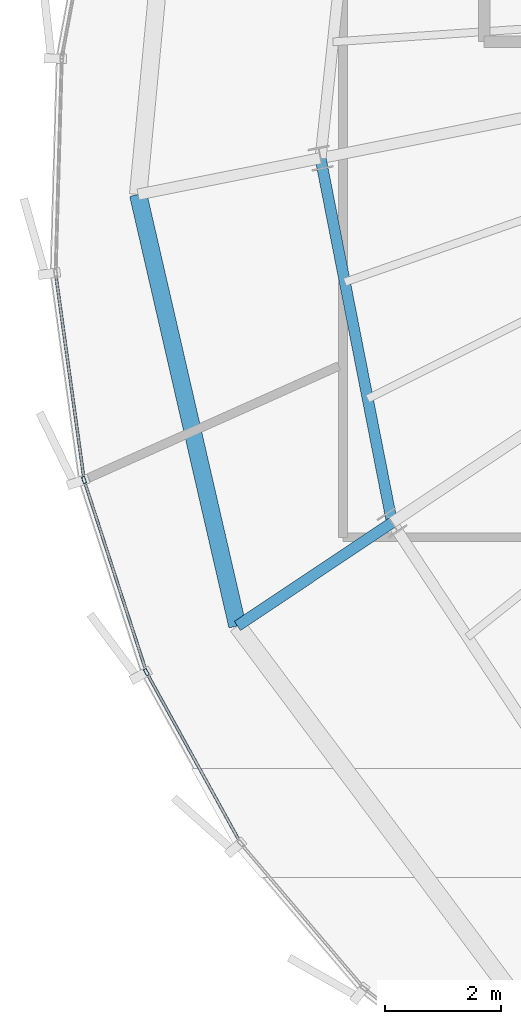
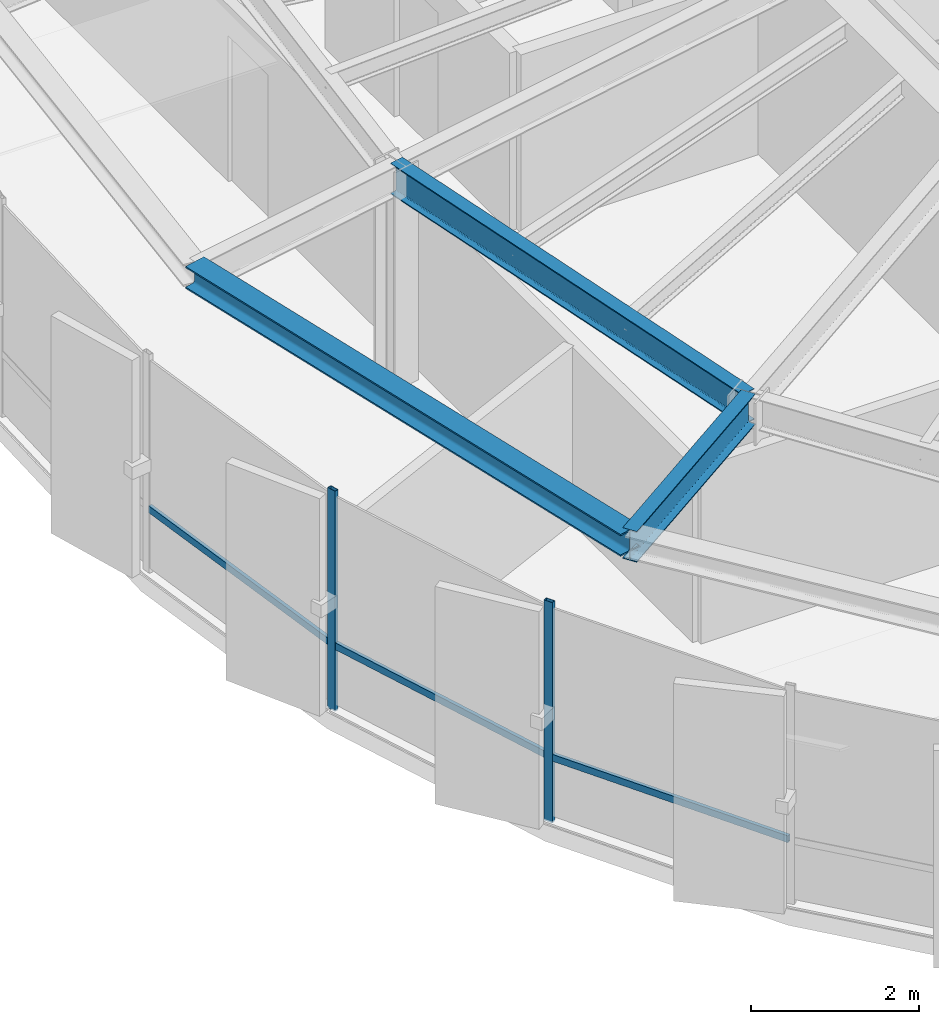
# One storey, part 4 of 31: 5 members, 3 beams, 1 element without a shape of its own.
"""IFC4 building model written with IfcOpenShell, lengths in metres."""

from ifc_helpers import new_model, si_unit, direction, frame, origin, origin_2d, place, context, subcontext, project, spatial, hollow_rectangle, i_section, extrude, source, transform, mapped, material, layer, layer_set, material_profile, profile_set, type_object, element, aggregate, save


model = new_model("IFC4")

# Units and contexts
model_context = context("Model", 3, precision=1e-05, world=origin(), true_north=direction((0.0, 1.0)))
body_context = subcontext(model_context, "Body", "Model", "MODEL_VIEW")
ifc_project = project(units=[si_unit("LENGTHUNIT", "METRE"), si_unit("AREAUNIT", "SQUARE_METRE"), si_unit("VOLUMEUNIT", "CUBIC_METRE"), si_unit("PLANEANGLEUNIT", "RADIAN"), si_unit("MASSUNIT", "GRAM", prefix="KILO"), si_unit("THERMODYNAMICTEMPERATUREUNIT", "KELVIN")], contexts=[model_context])

# Site, building, storey
site_placement = place(None, origin())
site = spatial("IfcSite", under=ifc_project, at=site_placement, CompositionType="ELEMENT")
building_placement = place(site_placement, origin())
building = spatial("IfcBuilding", under=site, at=building_placement, Name="Kethvar Cultural Tower", CompositionType="ELEMENT")
storey_placement = place(building_placement, frame((0.0, 0.0, 269.800048828125)))
storey = spatial("IfcBuildingStorey", under=building, at=storey_placement, Name="L71", CompositionType="ELEMENT", Elevation=269.800048828125)

# Beams
ifc_material_1 = material(Name="Steel S355J2", Category="steel")
ifc_material_profile_1 = material_profile(ifc_material_1, i_section(OverallWidth=0.18994140625, OverallDepth=0.449951171875, WebThickness=0.009521484375, FlangeThickness=0.0146484375, FilletRadius=0.02099609375, at=origin_2d()), Name="Steel S355J2 — IPE450")
ifc_profile_set_1 = profile_set([ifc_material_profile_1], Name="Steel S355J2 — IPE450")
beam_type_1 = type_object("IfcBeamType", Name="BM-IPE450", PredefinedType="BEAM", material=ifc_profile_set_1)
shared_shape_1 = source(origin(), body_context, "Body", "SweptSolid", [
    extrude(i_section(OverallWidth=0.18994140625, OverallDepth=0.449951171875, WebThickness=0.009521484375, FlangeThickness=0.0146484375, FilletRadius=0.02099609375, at=origin_2d()), origin(), (0.0, 0.0, 1.0), 3.199951171875),
])
beam_1_placement = place(storey_placement, frame((32.912841796875, 18.52099609375, 2.98291015625), z_axis=(-0.831462943996, -0.555580212716, 0.0), x_axis=(0.555580212716, -0.831462943996, 0.0)))
element("IfcBeam", 1, at=beam_1_placement, inside=storey, type_object=beam_type_1, Name="L71 Perimeter Cantilever Beam RC-10", PredefinedType="BEAM", context=body_context, shape_type="MappedRepresentation", body=[
    mapped(shared_shape_1, transform((0.0, 0.0, 0.0), scale=1.0)),
])
shared_shape_2 = source(origin(), body_context, "Body", "SweptSolid", [
    extrude(i_section(OverallWidth=0.18994140625, OverallDepth=0.449951171875, WebThickness=0.009521484375, FlangeThickness=0.0146484375, FilletRadius=0.02099609375, at=origin_2d()), origin(), (0.0, 0.0, 1.0), 6.391357421875),
])
beam_2_placement = place(storey_placement, frame((31.68310546875, 24.79296875, 2.98291015625), z_axis=(0.192405084368, -0.981315588131, 0.0), x_axis=(0.981315588131, 0.192405084368, 0.0)))
element("IfcBeam", 2, at=beam_2_placement, inside=storey, type_object=beam_type_1, Name="L71 Column Ring Tie Beam CR-09", PredefinedType="BEAM", context=body_context, shape_type="MappedRepresentation", body=[
    mapped(shared_shape_2, transform((0.0, 0.0, 0.0), scale=1.0)),
])
ifc_material_profile_2 = material_profile(ifc_material_1, i_section(OverallWidth=0.300048828125, OverallDepth=0.320068359375, WebThickness=0.011474609375, FlangeThickness=0.0205078125, FilletRadius=0.027099609375, at=origin_2d()), Name="Steel S355J2 — HEB320")
ifc_profile_set_2 = profile_set([ifc_material_profile_2], Name="Steel S355J2 — HEB320")
beam_type_2 = type_object("IfcBeamType", Name="BM-SP320", PredefinedType="SPANDREL", material=ifc_profile_set_2)
shared_shape_3 = source(origin(), body_context, "Body", "SweptSolid", [
    extrude(i_section(OverallWidth=0.300048828125, OverallDepth=0.320068359375, WebThickness=0.011474609375, FlangeThickness=0.0205078125, FilletRadius=0.027099609375, at=origin_2d()), origin(), (0.0, 0.0, 1.0), 7.619384765625),
])
beam_3_placement = place(storey_placement, frame((28.54443359375, 24.168701171875, 3.0478515625), z_axis=(0.224133998424, -0.974558336248, 0.0), x_axis=(0.974558336248, 0.224133998424, 0.0)))
element("IfcBeam", 3, at=beam_3_placement, inside=storey, type_object=beam_type_2, Name="L71 Perimeter Spandrel Beam SP-09", PredefinedType="SPANDREL", context=body_context, shape_type="MappedRepresentation", body=[
    mapped(shared_shape_3, transform((0.0, 0.0, 0.0), scale=1.0)),
])

# Curtain wall, members
ifc_material_2 = material(Name="Aluminium 6063-T6", Category="aluminium")
ifc_layer = layer(ifc_material_2, 0.179931640625, Name="Aluminium 6063-T6", Category="aluminium")
ifc_layer_set = layer_set([ifc_layer], Name="Aluminium 6063-T6 (180 mm)")
curtain_wall_type = type_object("IfcCurtainWallType", Name="CW-SYS-05-Z56", PredefinedType="NOTDEFINED", material=ifc_layer_set)
curtain_wall_placement = place(storey_placement, origin())
curtain_wall = element("IfcCurtainWall", 4, at=curtain_wall_placement, inside=storey, type_object=curtain_wall_type, Name="L71 Curtain Wall Run 03", PredefinedType="NOTDEFINED")
ifc_material_profile_3 = material_profile(ifc_material_2, hollow_rectangle(XDim=0.054931640625, YDim=0.1201171875, WallThickness=0.00390625, at=origin_2d()), Name="Aluminium 6063-T6 — RHS120x55x4")
ifc_profile_set_3 = profile_set([ifc_material_profile_3], Name="Aluminium 6063-T6 — RHS120x55x4")
member_type_1 = type_object("IfcMemberType", Name="CW-SYS-05-Z56-MUL", PredefinedType="MULLION", material=ifc_profile_set_3)
shared_shape_4 = source(origin(), body_context, "Body", "SweptSolid", [
    extrude(hollow_rectangle(XDim=0.054931640625, YDim=0.1201171875, WallThickness=0.00390625, at=origin_2d()), origin(), (0.0, 0.0, 1.0), 3.2099609375),
])
member_1_placement = place(storey_placement, frame((27.6123046875, 19.2548828125, 0.0), z_axis=(0.0, 0.0, 1.0), x_axis=(0.951072695083, 0.308967196749, 0.0)))
member_1 = element("IfcMember", 5, at=member_1_placement, type_object=member_type_1, Name="CW-L71-R03 Mullion 3", PredefinedType="MULLION", context=body_context, shape_type="MappedRepresentation", body=[
    mapped(shared_shape_4, transform((0.0, 0.0, 0.0), scale=1.0)),
])
member_2_placement = place(storey_placement, frame((28.6845703125, 15.94921875, 0.0), z_axis=(0.0, 0.0, 1.0), x_axis=(0.875734306247, 0.482793356274, 0.0)))
member_2 = element("IfcMember", 6, at=member_2_placement, type_object=member_type_1, Name="CW-L71-R03 Mullion 4", PredefinedType="MULLION", context=body_context, shape_type="MappedRepresentation", body=[
    mapped(shared_shape_4, transform((0.0, 0.0, 0.0), scale=1.0)),
])
ifc_material_profile_4 = material_profile(ifc_material_2, hollow_rectangle(XDim=0.050048828125, YDim=0.10009765625, WallThickness=0.00390625, at=origin_2d()), Name="Aluminium 6063-T6 — RHS100x50x4")
ifc_profile_set_4 = profile_set([ifc_material_profile_4], Name="Aluminium 6063-T6 — RHS100x50x4")
member_type_2 = type_object("IfcMemberType", Name="CW-SYS-05-Z56-TRN", PredefinedType="USERDEFINED", material=ifc_profile_set_4)
shared_shape_5 = source(origin(), body_context, "Body", "SweptSolid", [
    extrude(hollow_rectangle(XDim=0.050048828125, YDim=0.10009765625, WallThickness=0.00390625, at=origin_2d()), origin(), (0.0, 0.0, 1.0), 3.5380859375),
])
member_3_placement = place(storey_placement, frame((27.1279296875, 22.781982421875, 0.949951171875), z_axis=(0.136560340111, -0.990631754745, 0.0), x_axis=(0.990631754745, 0.136560340111, 0.0)))
member_3 = element("IfcMember", 7, at=member_3_placement, type_object=member_type_2, Name="CW-L71-R03 Transom 2", ObjectType="TRANSOM", PredefinedType="USERDEFINED", context=body_context, shape_type="MappedRepresentation", body=[
    mapped(shared_shape_5, transform((0.0, 0.0, 0.0), scale=1.0)),
])
shared_shape_6 = source(origin(), body_context, "Body", "SweptSolid", [
    extrude(hollow_rectangle(XDim=0.050048828125, YDim=0.10009765625, WallThickness=0.00390625, at=origin_2d()), origin(), (0.0, 0.0, 1.0), 3.414794921875),
])
member_4_placement = place(storey_placement, frame((27.62451171875, 19.21728515625, 0.949951171875), z_axis=(0.308990693531, -0.951065061555, 0.0), x_axis=(0.951065061555, 0.308990693531, 0.0)))
member_4 = element("IfcMember", 8, at=member_4_placement, type_object=member_type_2, Name="CW-L71-R03 Transom 3", ObjectType="TRANSOM", PredefinedType="USERDEFINED", context=body_context, shape_type="MappedRepresentation", body=[
    mapped(shared_shape_6, transform((0.0, 0.0, 0.0), scale=1.0)),
])
shared_shape_7 = source(origin(), body_context, "Body", "SweptSolid", [
    extrude(hollow_rectangle(XDim=0.050048828125, YDim=0.10009765625, WallThickness=0.00390625, at=origin_2d()), origin(), (0.0, 0.0, 1.0), 3.302490234375),
])
member_5_placement = place(storey_placement, frame((28.70361328125, 15.91455078125, 0.949951171875), z_axis=(0.482809583485, -0.87572535997, 0.0), x_axis=(0.87572535997, 0.482809583485, 0.0)))
member_5 = element("IfcMember", 9, at=member_5_placement, type_object=member_type_2, Name="CW-L71-R03 Transom 4", ObjectType="TRANSOM", PredefinedType="USERDEFINED", context=body_context, shape_type="MappedRepresentation", body=[
    mapped(shared_shape_7, transform((0.0, 0.0, 0.0), scale=1.0)),
])
aggregate(curtain_wall, [member_1, member_2, member_3, member_4, member_5])

save(model, "model.ifc")
